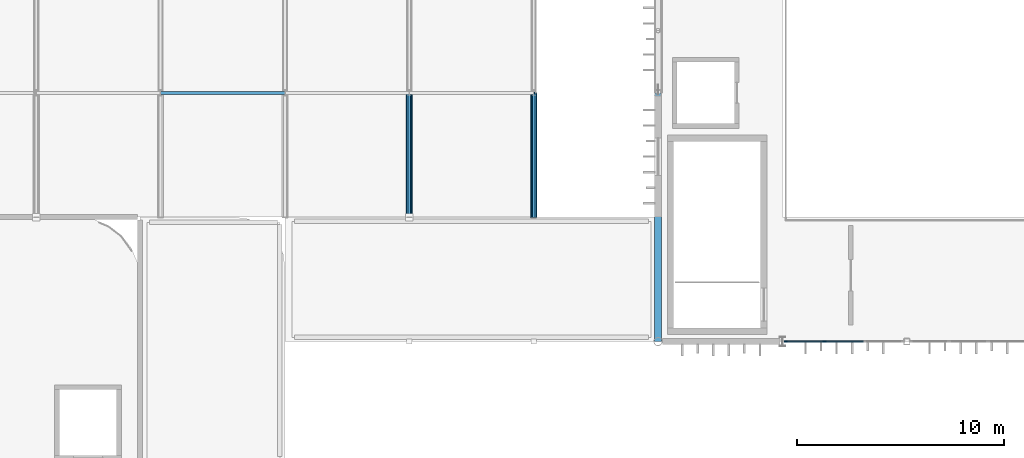
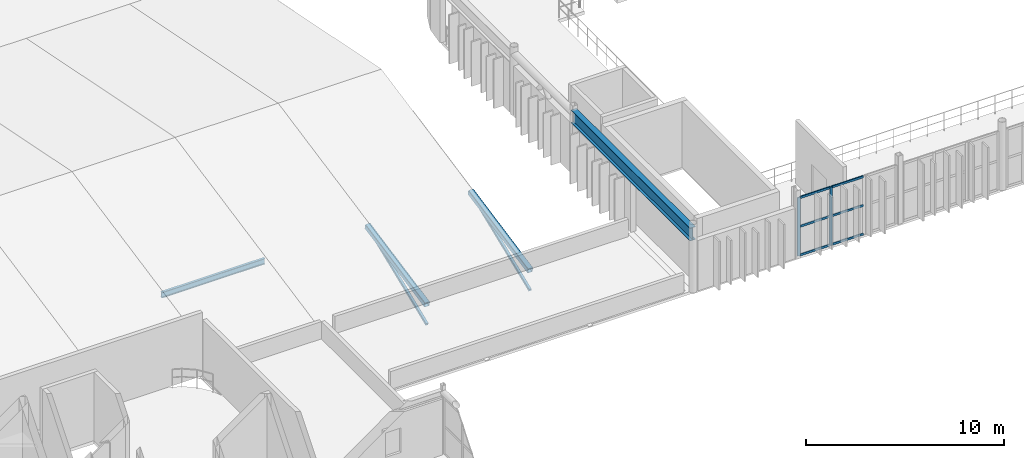
# One storey, part 33 of 83: 11 members, 3 beams, 1 element without a shape of its own.
"""IFC4 building model written with IfcOpenShell, lengths in metres."""

from ifc_helpers import new_model, si_unit, direction, frame, origin, origin_2d, place, context, subcontext, project, spatial, rectangle, hollow_rectangle, i_section, extrude, material, material_profile, profile_set, type_object, element, aggregate, save


model = new_model("IFC4")

# Units and contexts
model_context = context("Model", 3, precision=1e-05, world=origin(), true_north=direction((0.0, 1.0)))
body_context = subcontext(model_context, "Body", "Model", "MODEL_VIEW")
ifc_project = project(units=[si_unit("LENGTHUNIT", "METRE"), si_unit("AREAUNIT", "SQUARE_METRE"), si_unit("VOLUMEUNIT", "CUBIC_METRE"), si_unit("PLANEANGLEUNIT", "RADIAN"), si_unit("MASSUNIT", "GRAM", prefix="KILO")], contexts=[model_context])

# Site, building, storey
site_placement = place(None, origin())
site = spatial("IfcSite", under=ifc_project, at=site_placement, CompositionType="ELEMENT")
building_placement = place(site_placement, origin())
building = spatial("IfcBuilding", under=site, at=building_placement, Name="Varnakota Square Police Headquarters", CompositionType="ELEMENT")
storey_placement = place(building_placement, frame((0.0, 0.0, 18.0)))
storey = spatial("IfcBuildingStorey", under=building, at=storey_placement, Name="L04", CompositionType="ELEMENT", Elevation=18.0)

# Beams
ifc_material_1 = material(Name="Steel IS 2062 Grade 350", Category="steel")
ifc_material_profile_1 = material_profile(ifc_material_1, i_section(OverallWidth=0.320068359375, OverallDepth=0.800048828125, WebThickness=0.01611328125, FlangeThickness=0.028076171875, at=origin_2d()), Name="BPG 800x320")
ifc_profile_set_1 = profile_set([ifc_material_profile_1], Name="Steel IS 2062 Grade 350")
beam_type_1 = type_object("IfcBeamType", Name="BM-BPG800", PredefinedType="BEAM", material=ifc_profile_set_1)
beam_placement = place(storey_placement, frame((60.0, 69.0, 3.5), z_axis=(0.0, 1.0, 0.0), x_axis=(-1.0, 0.0, 0.0)))
element("IfcBeam", 1, at=beam_placement, inside=storey, type_object=beam_type_1, Name="BMG-L04-2976", PredefinedType="BEAM", context=body_context, shape_type="SweptSolid", body=[
    extrude(i_section(OverallWidth=0.320068359375, OverallDepth=0.800048828125, WebThickness=0.01611328125, FlangeThickness=0.028076171875, at=origin_2d()), origin(), (0.0, 0.0, 1.0), 12.0),
])
ifc_material_profile_2 = material_profile(ifc_material_1, hollow_rectangle(XDim=0.300048828125, YDim=0.300048828125, WallThickness=0.01611328125, InnerFilletRadius=0.01611328125, OuterFilletRadius=0.031982421875, at=origin_2d()), Name="SHS 300x300x16")
ifc_profile_set_2 = profile_set([ifc_material_profile_2], Name="Steel IS 2062 Grade 350")
beam_type_2 = type_object("IfcBeamType", Name="BM-TR-SHS300", PredefinedType="BEAM", material=ifc_profile_set_2)
for number, where, z_axis, x_axis, name in (
    (2, (48.0, 75.0, -0.280029296875), (0.0, 0.980582210276, 0.196108462057), (-1.0, 0.0, 0.0), "ROOF TRUSS top chord T7-P1"),
    (3, (54.0, 75.0, -0.280029296875), (0.0, 0.980582210276, 0.196108462057), (-1.0, 0.0, 0.0), "ROOF TRUSS top chord T8-P1"),
):
    element("IfcBeam", number, at=place(storey_placement, frame(where, z_axis=z_axis, x_axis=x_axis)), inside=storey, type_object=beam_type_2, Name=name, PredefinedType="BEAM", context=body_context, shape_type="SweptSolid", body=[
        extrude(hollow_rectangle(XDim=0.300048828125, YDim=0.300048828125, WallThickness=0.01611328125, InnerFilletRadius=0.01611328125, OuterFilletRadius=0.031982421875, at=origin_2d()), origin(), (0.0, 0.0, 1.0), 6.118896484375),
    ])

# Curtain wall, members
ifc_material_2 = material(Name="Anodised Aluminium Framing", Category="aluminium")
curtain_wall_type = type_object("IfcCurtainWallType", Name="CW-SYS-B", PredefinedType="NOTDEFINED", material=ifc_material_2)
curtain_wall_placement = place(storey_placement, origin())
curtain_wall = element("IfcCurtainWall", 4, at=curtain_wall_placement, inside=storey, type_object=curtain_wall_type, Name="Unitised curtain wall CWG-L04-254", PredefinedType="NOTDEFINED")
ifc_material_3 = material(Name="Anodised Aluminium 6063-T6", Category="aluminium")
ifc_material_profile_3 = material_profile(ifc_material_3, rectangle(XDim=0.06494140625, YDim=0.159912109375, at=origin_2d()), Name="ALU MULLION 65x160")
ifc_profile_set_3 = profile_set([ifc_material_profile_3], Name="Anodised Aluminium 6063-T6")
member_type_1 = type_object("IfcMemberType", Name="CWM-150", PredefinedType="MULLION", material=ifc_profile_set_3)
member_1_placement = place(storey_placement, frame((66.16259765625, 69.0, 0.0), z_axis=(0.0, 0.0, 1.0), x_axis=(0.0, 1.0, 0.0)))
member_1 = element("IfcMember", 5, at=member_1_placement, type_object=member_type_1, Name="CWG-L04-254 mullion 1", PredefinedType="MULLION", context=body_context, shape_type="SweptSolid", body=[
    extrude(rectangle(XDim=0.06494140625, YDim=0.159912109375, at=origin_2d()), origin(), (0.0, 0.0, 1.0), 3.590087890625),
])
member_2_placement = place(storey_placement, frame((68.034912109375, 69.0, 0.0), z_axis=(0.0, 0.0, 1.0), x_axis=(0.0, 1.0, 0.0)))
member_2 = element("IfcMember", 6, at=member_2_placement, type_object=member_type_1, Name="CWG-L04-254 mullion 2", PredefinedType="MULLION", context=body_context, shape_type="SweptSolid", body=[
    extrude(rectangle(XDim=0.06494140625, YDim=0.159912109375, at=origin_2d()), origin(), (0.0, 0.0, 1.0), 3.590087890625),
])
ifc_material_profile_4 = material_profile(ifc_material_3, rectangle(XDim=0.06494140625, YDim=0.1298828125, at=origin_2d()), Name="ALU TRANSOM 65x130")
ifc_profile_set_4 = profile_set([ifc_material_profile_4], Name="Anodised Aluminium 6063-T6")
member_type_2 = type_object("IfcMemberType", Name="CWT-120", PredefinedType="USERDEFINED", material=ifc_profile_set_4)
member_3_placement = place(storey_placement, frame((66.195068359375, 69.0, 0.032470703125), z_axis=(1.0, 0.0, 0.0), x_axis=(0.0, 1.0, 0.0)))
member_3 = element("IfcMember", 7, at=member_3_placement, type_object=member_type_2, Name="CWG-L04-254 transom 1.1", ObjectType="TRANSOM", PredefinedType="USERDEFINED", context=body_context, shape_type="SweptSolid", body=[
    extrude(rectangle(XDim=0.06494140625, YDim=0.1298828125, at=origin_2d()), origin(), (0.0, 0.0, 1.0), 1.807373046875),
])
member_4_placement = place(storey_placement, frame((66.195068359375, 69.0, 1.794921875), z_axis=(1.0, 0.0, 0.0), x_axis=(0.0, 1.0, 0.0)))
member_4 = element("IfcMember", 8, at=member_4_placement, type_object=member_type_2, Name="CWG-L04-254 transom 1.2", ObjectType="TRANSOM", PredefinedType="USERDEFINED", context=body_context, shape_type="SweptSolid", body=[
    extrude(rectangle(XDim=0.06494140625, YDim=0.1298828125, at=origin_2d()), origin(), (0.0, 0.0, 1.0), 1.807373046875),
])
member_5_placement = place(storey_placement, frame((66.195068359375, 69.0, 3.5576171875), z_axis=(1.0, 0.0, 0.0), x_axis=(0.0, 1.0, 0.0)))
member_5 = element("IfcMember", 9, at=member_5_placement, type_object=member_type_2, Name="CWG-L04-254 transom 1.3", ObjectType="TRANSOM", PredefinedType="USERDEFINED", context=body_context, shape_type="SweptSolid", body=[
    extrude(rectangle(XDim=0.06494140625, YDim=0.1298828125, at=origin_2d()), origin(), (0.0, 0.0, 1.0), 1.807373046875),
])
member_6_placement = place(storey_placement, frame((68.0673828125, 69.0, 0.032470703125), z_axis=(1.0, 0.0, 0.0), x_axis=(0.0, 1.0, 0.0)))
member_6 = element("IfcMember", 10, at=member_6_placement, type_object=member_type_2, Name="CWG-L04-254 transom 2.1", ObjectType="TRANSOM", PredefinedType="USERDEFINED", context=body_context, shape_type="SweptSolid", body=[
    extrude(rectangle(XDim=0.06494140625, YDim=0.1298828125, at=origin_2d()), origin(), (0.0, 0.0, 1.0), 1.840087890625),
])
member_7_placement = place(storey_placement, frame((68.0673828125, 69.0, 1.794921875), z_axis=(1.0, 0.0, 0.0), x_axis=(0.0, 1.0, 0.0)))
member_7 = element("IfcMember", 11, at=member_7_placement, type_object=member_type_2, Name="CWG-L04-254 transom 2.2", ObjectType="TRANSOM", PredefinedType="USERDEFINED", context=body_context, shape_type="SweptSolid", body=[
    extrude(rectangle(XDim=0.06494140625, YDim=0.1298828125, at=origin_2d()), origin(), (0.0, 0.0, 1.0), 1.840087890625),
])
member_8_placement = place(storey_placement, frame((68.0673828125, 69.0, 3.5576171875), z_axis=(1.0, 0.0, 0.0), x_axis=(0.0, 1.0, 0.0)))
member_8 = element("IfcMember", 12, at=member_8_placement, type_object=member_type_2, Name="CWG-L04-254 transom 2.3", ObjectType="TRANSOM", PredefinedType="USERDEFINED", context=body_context, shape_type="SweptSolid", body=[
    extrude(rectangle(XDim=0.06494140625, YDim=0.1298828125, at=origin_2d()), origin(), (0.0, 0.0, 1.0), 1.840087890625),
])
aggregate(curtain_wall, [member_1, member_2, member_3, member_4, member_5, member_6, member_7, member_8])

# Members
ifc_material_profile_5 = material_profile(ifc_material_1, hollow_rectangle(XDim=0.14990234375, YDim=0.14990234375, WallThickness=0.008056640625, InnerFilletRadius=0.008056640625, OuterFilletRadius=0.01611328125, at=origin_2d()), Name="SHS 150x150x8")
ifc_profile_set_5 = profile_set([ifc_material_profile_5], Name="Steel IS 2062 Grade 350")
member_type_3 = type_object("IfcMemberType", Name="MEM-BR-SHS150", PredefinedType="BRACE", material=ifc_profile_set_5)
for number, where, z_axis, x_axis, name in (
    (13, (48.0, 75.0, -1.5), (0.0, 0.927411070394, 0.374043722727), (-1.0, 0.0, 0.0), "ROOF TRUSS diagonal web T7-P1"),
    (14, (54.0, 75.0, -1.5), (0.0, 0.927411070394, 0.374043722727), (-1.0, 0.0, 0.0), "ROOF TRUSS diagonal web T8-P1"),
):
    element("IfcMember", number, at=place(storey_placement, frame(where, z_axis=z_axis, x_axis=x_axis)), inside=storey, type_object=member_type_3, Name=name, PredefinedType="BRACE", context=body_context, shape_type="SweptSolid", body=[
        extrude(hollow_rectangle(XDim=0.14990234375, YDim=0.14990234375, WallThickness=0.008056640625, InnerFilletRadius=0.008056640625, OuterFilletRadius=0.01611328125, at=origin_2d()), origin(), (0.0, 0.0, 1.0), 6.4697265625),
    ])
ifc_material_profile_6 = material_profile(ifc_material_1, i_section(OverallWidth=0.139892578125, OverallDepth=0.35009765625, WebThickness=0.008056640625, FlangeThickness=0.01416015625, FilletRadius=0.013916015625, at=origin_2d()), Name="ISMB 350")
ifc_profile_set_6 = profile_set([ifc_material_profile_6], Name="Steel IS 2062 Grade 350")
member_type_4 = type_object("IfcMemberType", Name="MEM-PUR-ISMB350", PredefinedType="PURLIN", material=ifc_profile_set_6)
member_9_placement = place(storey_placement, frame((36.0, 81.0, 0.875), z_axis=(1.0, 0.0, 0.0), x_axis=(0.0, 1.0, 0.0)))
element("IfcMember", 15, at=member_9_placement, inside=storey, type_object=member_type_4, Name="Tactical hall purlin B5-Y81", PredefinedType="PURLIN", context=body_context, shape_type="SweptSolid", body=[
    extrude(i_section(OverallWidth=0.139892578125, OverallDepth=0.35009765625, WebThickness=0.008056640625, FlangeThickness=0.01416015625, FilletRadius=0.013916015625, at=origin_2d()), origin(), (0.0, 0.0, 1.0), 6.0),
])

save(model, "model.ifc")
